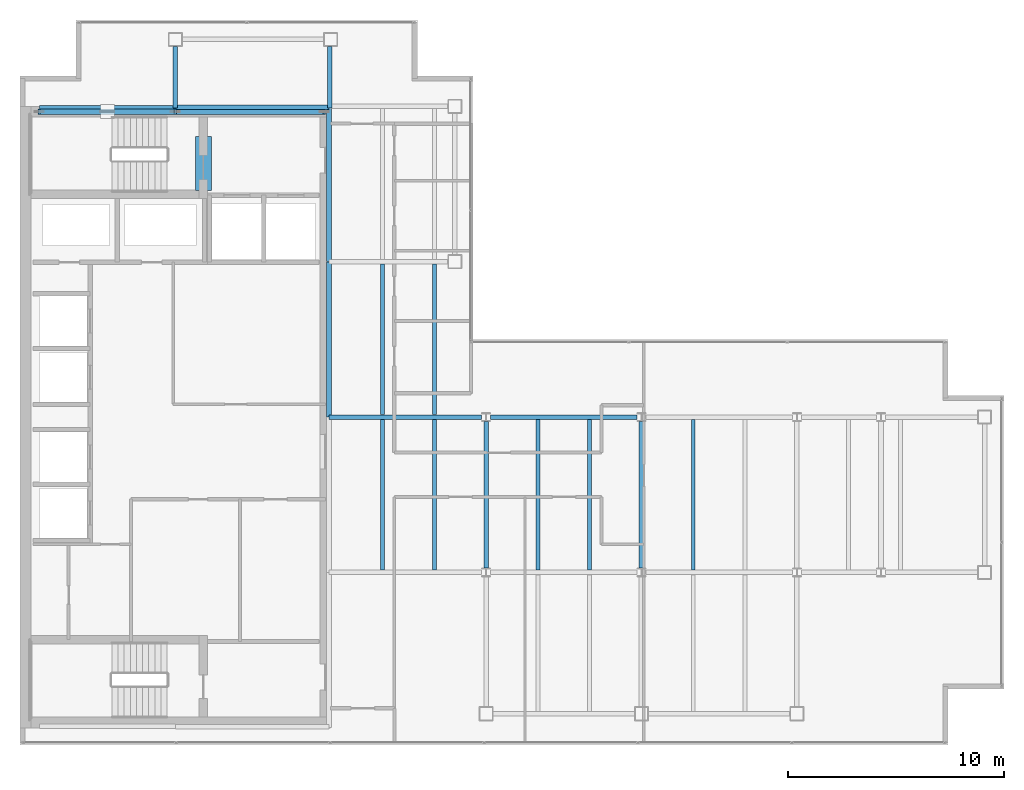
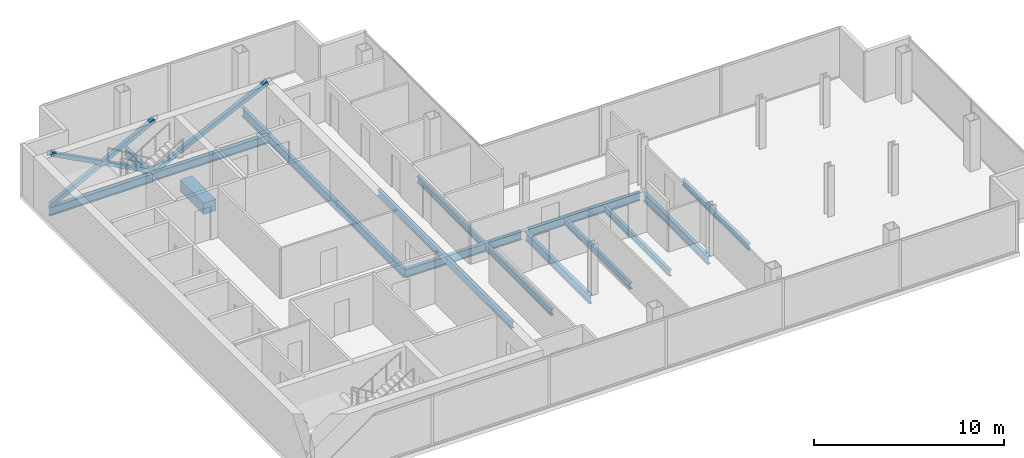
# One storey, part 7 of 23: 18 beams, 4 members.
"""IFC4 building model written with IfcOpenShell, lengths in metres."""

from ifc_helpers import new_model, si_unit, direction, frame, origin, origin_2d, place, context, subcontext, project, spatial, rectangle, hollow_rectangle, i_section, extrude, material, material_profile, profile_set, type_object, element, save


model = new_model("IFC4")

# Units and contexts
model_context = context("Model", 3, precision=1e-05, world=origin(), true_north=direction((0.0, 1.0)))
body_context = subcontext(model_context, "Body", "Model", "MODEL_VIEW")
ifc_project = project(units=[si_unit("LENGTHUNIT", "METRE"), si_unit("AREAUNIT", "SQUARE_METRE"), si_unit("VOLUMEUNIT", "CUBIC_METRE"), si_unit("PLANEANGLEUNIT", "RADIAN"), si_unit("MASSUNIT", "GRAM", prefix="KILO")], contexts=[model_context])

# Site, building, storey
site_placement = place(None, origin())
site = spatial("IfcSite", under=ifc_project, at=site_placement, CompositionType="ELEMENT")
building_placement = place(site_placement, origin())
building = spatial("IfcBuilding", under=site, at=building_placement, Name="Cobrela Telecom Tower", CompositionType="ELEMENT")
storey_placement = place(building_placement, frame((0.0, 0.0, 265.64990234375)))
storey = spatial("IfcBuildingStorey", under=building, at=storey_placement, Name="L69", CompositionType="ELEMENT", Elevation=265.64990234375)

# Beams
ifc_material_1 = material(Name="Concrete C40/50", Category="concrete")
ifc_material_profile_1 = material_profile(ifc_material_1, rectangle(XDim=0.75, YDim=0.75, at=origin_2d()), Name="RC 750x750")
ifc_profile_set_1 = profile_set([ifc_material_profile_1], Name="Concrete C40/50")
beam_type_1 = type_object("IfcBeamType", Name="BM-COUP-RC", PredefinedType="LINTEL", material=ifc_profile_set_1)
beam_1_placement = place(storey_placement, frame((8.5, 32.10009765625, -0.60986328125), z_axis=(0.0, 1.0, 0.0), x_axis=(-1.0, 0.0, 0.0)))
element("IfcBeam", 1, at=beam_1_placement, inside=storey, type_object=beam_type_1, Name="L69 Core Coupling Lintel Beam", PredefinedType="LINTEL", context=body_context, shape_type="SweptSolid", body=[
    extrude(rectangle(XDim=0.75, YDim=0.75, at=origin_2d()), origin(), (0.0, 0.0, 1.0), 2.5),
])
ifc_material_2 = material(Name="Steel ASTM A992 Grade 50", Category="steel")
ifc_material_profile_2 = material_profile(ifc_material_2, i_section(OverallWidth=0.212890625, OverallDepth=0.549072265625, WebThickness=0.0146484375, FlangeThickness=0.023681640625, FilletRadius=0.013916015625, at=origin_2d()), Name="W21X93")
ifc_profile_set_2 = profile_set([ifc_material_profile_2], Name="Steel ASTM A992 Grade 50")
beam_type_2 = type_object("IfcBeamType", Name="BM-GIRD-08", PredefinedType="USERDEFINED", material=ifc_profile_set_2)
beam_2_placement = place(storey_placement, frame((14.324951171875, 21.60009765625, -0.534423828125), z_axis=(1.0, 0.0, 0.0), x_axis=(0.0, 1.0, 0.0)))
element("IfcBeam", 2, at=beam_2_placement, inside=storey, type_object=beam_type_2, Name="L69 Primary Girder X10", ObjectType="GIRDER", PredefinedType="USERDEFINED", context=body_context, shape_type="SweptSolid", body=[
    extrude(i_section(OverallWidth=0.212890625, OverallDepth=0.549072265625, WebThickness=0.0146484375, FlangeThickness=0.023681640625, FilletRadius=0.013916015625, at=origin_2d()), origin(), (0.0, 0.0, 1.0), 7.070556640625),
])
beam_3_placement = place(storey_placement, frame((21.804443359375, 21.60009765625, -0.534423828125), z_axis=(1.0, 0.0, 0.0), x_axis=(0.0, 1.0, 0.0)))
element("IfcBeam", 3, at=beam_3_placement, inside=storey, type_object=beam_type_2, Name="L69 Primary Girder X11", ObjectType="GIRDER", PredefinedType="USERDEFINED", context=body_context, shape_type="SweptSolid", body=[
    extrude(i_section(OverallWidth=0.212890625, OverallDepth=0.549072265625, WebThickness=0.0146484375, FlangeThickness=0.023681640625, FilletRadius=0.013916015625, at=origin_2d()), origin(), (0.0, 0.0, 1.0), 6.791015625),
])
beam_4_placement = place(storey_placement, frame((0.905029296875, 35.919921875, -0.534423828125), z_axis=(1.0, 0.0, 0.0), x_axis=(0.0, 1.0, 0.0)))
element("IfcBeam", 4, at=beam_4_placement, inside=storey, type_object=beam_type_2, Name="L69 Primary Girder X16", ObjectType="GIRDER", PredefinedType="USERDEFINED", context=body_context, shape_type="SweptSolid", body=[
    extrude(i_section(OverallWidth=0.212890625, OverallDepth=0.549072265625, WebThickness=0.0146484375, FlangeThickness=0.023681640625, FilletRadius=0.013916015625, at=origin_2d()), origin(), (0.0, 0.0, 1.0), 6.2900390625),
])
beam_5_placement = place(storey_placement, frame((7.205078125, 35.9599609375, -0.534423828125), z_axis=(1.0, 0.0, 0.0), x_axis=(0.0, 1.0, 0.0)))
element("IfcBeam", 5, at=beam_5_placement, inside=storey, type_object=beam_type_2, Name="L69 Primary Girder X17", ObjectType="GIRDER", PredefinedType="USERDEFINED", context=body_context, shape_type="SweptSolid", body=[
    extrude(i_section(OverallWidth=0.212890625, OverallDepth=0.549072265625, WebThickness=0.0146484375, FlangeThickness=0.023681640625, FilletRadius=0.013916015625, at=origin_2d()), origin(), (0.0, 0.0, 1.0), 7.10986328125),
])
beam_6_placement = place(storey_placement, frame((7.199951171875, 35.925048828125, -0.534423828125), z_axis=(0.0, 1.0, 0.0), x_axis=(-1.0, 0.0, 0.0)))
element("IfcBeam", 6, at=beam_6_placement, inside=storey, type_object=beam_type_2, Name="L69 Primary Girder Y20", ObjectType="GIRDER", PredefinedType="USERDEFINED", context=body_context, shape_type="SweptSolid", body=[
    extrude(i_section(OverallWidth=0.212890625, OverallDepth=0.549072265625, WebThickness=0.0146484375, FlangeThickness=0.023681640625, FilletRadius=0.013916015625, at=origin_2d()), origin(), (0.0, 0.0, 1.0), 2.844970703125),
])
beam_7_placement = place(storey_placement, frame((14.320068359375, 21.60498046875, -0.534423828125), z_axis=(0.0, 1.0, 0.0), x_axis=(-1.0, 0.0, 0.0)))
element("IfcBeam", 7, at=beam_7_placement, inside=storey, type_object=beam_type_2, Name="L69 Primary Girder Y23", ObjectType="GIRDER", PredefinedType="USERDEFINED", context=body_context, shape_type="SweptSolid", body=[
    extrude(i_section(OverallWidth=0.212890625, OverallDepth=0.549072265625, WebThickness=0.0146484375, FlangeThickness=0.023681640625, FilletRadius=0.013916015625, at=origin_2d()), origin(), (0.0, 0.0, 1.0), 7.18994140625),
])
beam_8_placement = place(storey_placement, frame((14.320068359375, 28.804931640625, -0.534423828125), z_axis=(0.0, 1.0, 0.0), x_axis=(-1.0, 0.0, 0.0)))
element("IfcBeam", 8, at=beam_8_placement, inside=storey, type_object=beam_type_2, Name="L69 Primary Girder Y24", ObjectType="GIRDER", PredefinedType="USERDEFINED", context=body_context, shape_type="SweptSolid", body=[
    extrude(i_section(OverallWidth=0.212890625, OverallDepth=0.549072265625, WebThickness=0.0146484375, FlangeThickness=0.023681640625, FilletRadius=0.013916015625, at=origin_2d()), origin(), (0.0, 0.0, 1.0), 7.110107421875),
])
beam_9_placement = place(storey_placement, frame((14.360107421875, 35.925048828125, -0.534423828125), z_axis=(0.0, 1.0, 0.0), x_axis=(-1.0, 0.0, 0.0)))
element("IfcBeam", 9, at=beam_9_placement, inside=storey, type_object=beam_type_2, Name="L69 Primary Girder Y25", ObjectType="GIRDER", PredefinedType="USERDEFINED", context=body_context, shape_type="SweptSolid", body=[
    extrude(i_section(OverallWidth=0.212890625, OverallDepth=0.549072265625, WebThickness=0.0146484375, FlangeThickness=0.023681640625, FilletRadius=0.013916015625, at=origin_2d()), origin(), (0.0, 0.0, 1.0), 2.844970703125),
])
for number, where, z_axis, x_axis, name in (
    (10, (21.60009765625, 14.6044921875, -0.534423828125), (0.0, 1.0, 0.0), (-1.0, 0.0, 0.0), "L69 Primary Girder Y28"),
    (11, (28.800048828125, 14.6044921875, -0.534423828125), (0.0, 1.0, 0.0), (-1.0, 0.0, 0.0), "L69 Primary Girder Y30"),
):
    element("IfcBeam", number, at=place(storey_placement, frame(where, z_axis=z_axis, x_axis=x_axis)), inside=storey, type_object=beam_type_2, Name=name, ObjectType="GIRDER", PredefinedType="USERDEFINED", context=body_context, shape_type="SweptSolid", body=[
        extrude(i_section(OverallWidth=0.212890625, OverallDepth=0.549072265625, WebThickness=0.0146484375, FlangeThickness=0.023681640625, FilletRadius=0.013916015625, at=origin_2d()), origin(), (0.0, 0.0, 1.0), 6.791015625),
    ])
ifc_material_profile_3 = material_profile(ifc_material_2, i_section(OverallWidth=0.179931640625, OverallDepth=0.4169921875, WebThickness=0.010986328125, FlangeThickness=0.01806640625, FilletRadius=0.011962890625, at=origin_2d()), Name="W16X57")
ifc_profile_set_3 = profile_set([ifc_material_profile_3], Name="Steel ASTM A992 Grade 50")
beam_type_3 = type_object("IfcBeamType", Name="BM-JOIST-04", PredefinedType="JOIST", material=ifc_profile_set_3)
for number, where, z_axis, x_axis, name in (
    (12, (16.800048828125, 14.511474609375, -0.468505859375), (0.0, 1.0, 0.0), (-1.0, 0.0, 0.0), "L69 Secondary Composite Floor Beam J01"),
    (13, (16.800048828125, 21.71142578125, -0.468505859375), (0.0, 1.0, 0.0), (-1.0, 0.0, 0.0), "L69 Secondary Composite Floor Beam J02"),
    (14, (19.199951171875, 14.511474609375, -0.468505859375), (0.0, 1.0, 0.0), (-1.0, 0.0, 0.0), "L69 Secondary Composite Floor Beam J04"),
    (15, (19.199951171875, 21.71142578125, -0.468505859375), (0.0, 1.0, 0.0), (-1.0, 0.0, 0.0), "L69 Secondary Composite Floor Beam J05"),
    (16, (24.0, 14.511474609375, -0.468505859375), (0.0, 1.0, 0.0), (-1.0, 0.0, 0.0), "L69 Secondary Composite Floor Beam J08"),
    (17, (26.39990234375, 14.511474609375, -0.468505859375), (0.0, 1.0, 0.0), (-1.0, 0.0, 0.0), "L69 Secondary Composite Floor Beam J10"),
    (18, (31.199951171875, 14.511474609375, -0.468505859375), (0.0, 1.0, 0.0), (-1.0, 0.0, 0.0), "L69 Secondary Composite Floor Beam J12"),
):
    element("IfcBeam", number, at=place(storey_placement, frame(where, z_axis=z_axis, x_axis=x_axis)), inside=storey, type_object=beam_type_3, Name=name, PredefinedType="JOIST", context=body_context, shape_type="SweptSolid", body=[
        extrude(i_section(OverallWidth=0.179931640625, OverallDepth=0.4169921875, WebThickness=0.010986328125, FlangeThickness=0.01806640625, FilletRadius=0.011962890625, at=origin_2d()), origin(), (0.0, 0.0, 1.0), 6.97705078125),
    ])

# Members
ifc_material_3 = material(Name="Steel ASTM A572 Grade 50", Category="steel")
ifc_material_profile_4 = material_profile(ifc_material_3, hollow_rectangle(XDim=0.25, YDim=0.25, WallThickness=0.013916015625, at=origin_2d()), Name="HSS 250x250x14")
ifc_profile_set_4 = profile_set([ifc_material_profile_4], Name="Steel ASTM A572 Grade 50")
member_type = type_object("IfcMemberType", Name="MBR-EXO-04", PredefinedType="BRACE", material=ifc_profile_set_4)
member_1_placement = place(storey_placement, frame((0.89990234375, 35.75, -0.039794921875), z_axis=(0.884686085315, 0.0, 0.466187226821), x_axis=(0.0, 1.0, 0.0)))
element("IfcMember", 19, at=member_1_placement, inside=storey, type_object=member_type, Name="L69 Core Flange Steel X-Brace Continuous A", PredefinedType="BRACE", context=body_context, shape_type="SweptSolid", body=[
    extrude(hollow_rectangle(XDim=0.25, YDim=0.25, WallThickness=0.013916015625, at=origin_2d()), origin(), (0.0, 0.0, 1.0), 7.121337890625),
])
member_2_placement = place(storey_placement, frame((7.199951171875, 35.75, -0.039794921875), z_axis=(-0.884702916743, 0.0, 0.466155284328), x_axis=(0.0, -1.0, 0.0)))
element("IfcMember", 20, at=member_2_placement, inside=storey, type_object=member_type, Name="L69 Core Flange Steel X-Brace Split B1", PredefinedType="BRACE", context=body_context, shape_type="SweptSolid", body=[
    extrude(hollow_rectangle(XDim=0.25, YDim=0.25, WallThickness=0.013916015625, at=origin_2d()), origin(), (0.0, 0.0, 1.0), 3.42041015625),
])
member_3_placement = place(storey_placement, frame((3.926025390625, 35.75, 1.685302734375), z_axis=(-0.884673479945, 0.0, 0.466211147317), x_axis=(0.0, -1.0, 0.0)))
element("IfcMember", 21, at=member_3_placement, inside=storey, type_object=member_type, Name="L69 Core Flange Steel X-Brace Split B2", PredefinedType="BRACE", context=body_context, shape_type="SweptSolid", body=[
    extrude(hollow_rectangle(XDim=0.25, YDim=0.25, WallThickness=0.013916015625, at=origin_2d()), origin(), (0.0, 0.0, 1.0), 3.420654296875),
])
member_4_placement = place(storey_placement, frame((7.199951171875, 35.75, -0.039794921875), z_axis=(0.901127639633, 0.0, 0.433553891793), x_axis=(0.0, 1.0, 0.0)))
element("IfcMember", 22, at=member_4_placement, inside=storey, type_object=member_type, Name="L69 Core Flange Steel Brace N2", PredefinedType="BRACE", context=body_context, shape_type="SweptSolid", body=[
    extrude(hollow_rectangle(XDim=0.25, YDim=0.25, WallThickness=0.013916015625, at=origin_2d()), origin(), (0.0, 0.0, 1.0), 7.6572265625),
])

save(model, "model.ifc")
